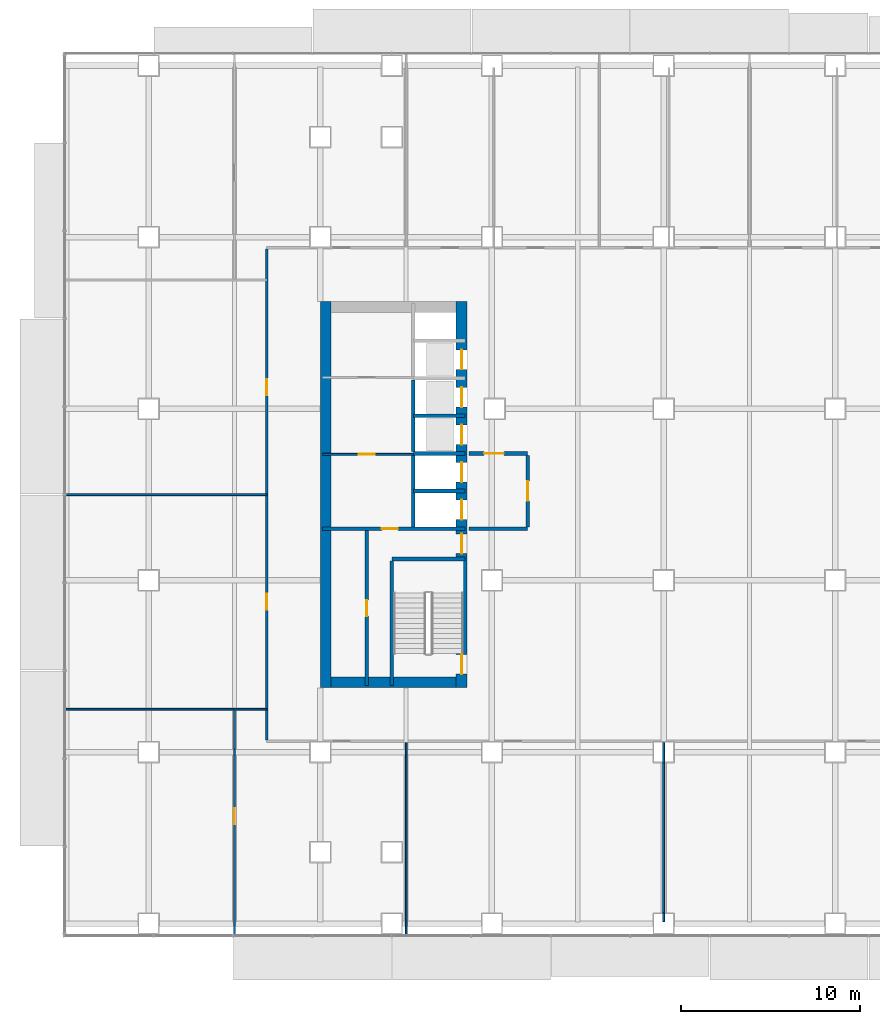
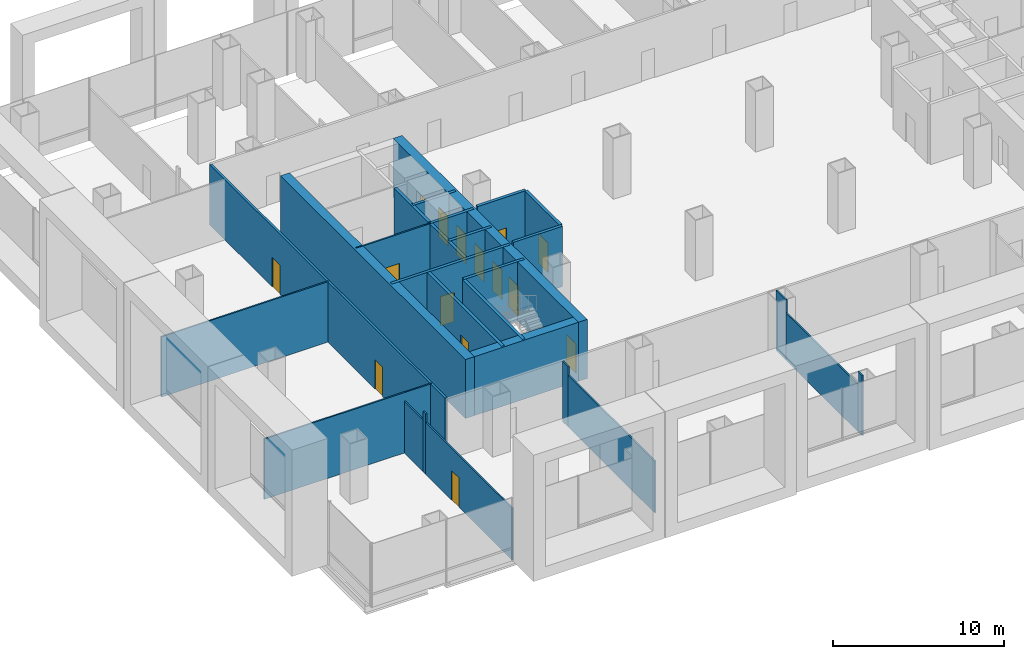
# One storey, part 14 of 23: 27 walls, 15 doors, 15 openings.
"""IFC4 building model written with IfcOpenShell, lengths in metres."""

import ifcopenshell
import ifcopenshell.guid

model = None  # the IFC model being written
_history = None  # IfcOwnerHistory: only IFC2X3 demands one
_inside = {}  # id of a spatial element -> (the spatial element, [elements in it])
_under = {}  # id of a project, library or spatial element -> (it, [spatial elements below it])
_declared = {}  # id of a project -> (the project, [libraries it declares])
_typed = {}  # id of a type object -> (the type object, [elements of that type])
_made_of = {}  # id of a material, layer set ... -> (it, [elements and type objects made of it])


def new_model(schema):
    """Start an empty IFC model of exactly this schema.

    Asked for "IFC4X3", IfcOpenShell would pick the latest addendum, in which some entities
    have other attributes; the version numbers below select the first issue.
    IFC2X3 requires an IfcOwnerHistory on every rooted entity: one is made here for all.
    """
    global model, _history
    if schema == "IFC4X3":
        model = ifcopenshell.file(schema_version=(4, 3, 0, 0))
    else:
        model = ifcopenshell.file(schema=schema)
    _inside.clear()
    _under.clear()
    _declared.clear()
    _typed.clear()
    _made_of.clear()
    _history = None
    if model.schema == "IFC2X3":
        org = make("IfcOrganization", Name="unknown")
        user = make(
            "IfcPersonAndOrganization",
            ThePerson=make("IfcPerson", FamilyName="unknown"),
            TheOrganization=org,
        )
        app = make(
            "IfcApplication",
            ApplicationDeveloper=org,
            Version="unknown",
            ApplicationFullName="unknown",
            ApplicationIdentifier="unknown",
        )
        _history = make(
            "IfcOwnerHistory",
            OwningUser=user,
            OwningApplication=app,
            ChangeAction="ADDED",
            CreationDate=0,
        )
    return model


def make(cls, **values):
    """One entity of the class cls with the attributes given. An attribute that is None is left unset."""
    return model.create_entity(
        cls, **{name: value for name, value in values.items() if value is not None}
    )


def rooted(cls, **values):
    """An entity with a GlobalId (a new one), such as an element, a storey or a relation."""
    return make(cls, GlobalId=ifcopenshell.guid.new(), OwnerHistory=_history, **values)


def si_unit(unit_type, name, prefix=None):
    """IfcSIUnit, for example si_unit("LENGTHUNIT", "METRE", prefix="MILLI")."""
    return make("IfcSIUnit", UnitType=unit_type, Prefix=prefix, Name=name)


def assignment(units):
    """IfcUnitAssignment: the units of a project."""
    return None if units is None else make("IfcUnitAssignment", Units=units)


def point(xyz):
    """IfcCartesianPoint."""
    return None if xyz is None else make("IfcCartesianPoint", Coordinates=xyz)


def direction(xyz):
    """IfcDirection."""
    return None if xyz is None else make("IfcDirection", DirectionRatios=xyz)


def frame(location, z_axis=None, x_axis=None):
    """IfcAxis2Placement3D, a coordinate frame: its origin and axes. An axis left out is left unset."""
    return make(
        "IfcAxis2Placement3D",
        Location=point(location),
        Axis=direction(z_axis),
        RefDirection=direction(x_axis),
    )


def frame_2d(location, x_axis=None):
    """IfcAxis2Placement2D, a coordinate frame in the plane: its origin and x axis."""
    return make(
        "IfcAxis2Placement2D", Location=point(location), RefDirection=direction(x_axis)
    )


def origin():
    """The frame at (0, 0, 0) with its axes left unset."""
    return frame((0.0, 0.0, 0.0))


def place(relative_to, where):
    """IfcLocalPlacement: puts the frame where relative to a parent placement (None: the world)."""
    return make(
        "IfcLocalPlacement", PlacementRelTo=relative_to, RelativePlacement=where
    )


def context(
    kind, dimensions, precision=None, world=None, true_north=None, identifier=None
):
    """IfcGeometricRepresentationContext, for example the 3D "Model" context."""
    return make(
        "IfcGeometricRepresentationContext",
        ContextIdentifier=identifier,
        ContextType=kind,
        CoordinateSpaceDimension=dimensions,
        Precision=precision,
        WorldCoordinateSystem=world,
        TrueNorth=true_north,
    )


def subcontext(parent, identifier, kind, view, scale=None):
    """IfcGeometricRepresentationSubContext, for example "Body" below "Model"."""
    return make(
        "IfcGeometricRepresentationSubContext",
        ContextIdentifier=identifier,
        ContextType=kind,
        ParentContext=parent,
        TargetScale=scale,
        TargetView=view,
    )


def project(units=None, contexts=None):
    """IfcProject with its units and contexts."""
    return rooted(
        "IfcProject",
        Name="project",
        RepresentationContexts=contexts,
        UnitsInContext=assignment(units),
    )


def spatial(cls, under=None, at=None, **own):
    """A site, building, storey or space (cls), placed at a placement, below another one or the project."""
    s = rooted(cls, ObjectPlacement=at, **own)
    if under is not None:
        _under.setdefault(under.id(), (under, []))[1].append(s)
    return s


def profile(cls, at=None, kind="AREA", **sizes):
    """A parametric profile (cls). Its sizes go by their IFC names, for example OverallWidth=200.0."""
    return make(cls, ProfileType=kind, Position=at, **sizes)


def rectangle(**sizes):
    """IfcRectangleProfileDef."""
    return profile("IfcRectangleProfileDef", **sizes)


def extrude(swept, where, along, depth):
    """IfcExtrudedAreaSolid: the profile swept, set in the frame where, extruded along a direction by depth."""
    return make(
        "IfcExtrudedAreaSolid",
        SweptArea=swept,
        Position=where,
        ExtrudedDirection=direction(along),
        Depth=depth,
    )


def shape(context_of_items, identifier, shape_type, items):
    """IfcShapeRepresentation: the items that make up one representation, for example the "Body"."""
    return make(
        "IfcShapeRepresentation",
        ContextOfItems=context_of_items,
        RepresentationIdentifier=identifier,
        RepresentationType=shape_type,
        Items=items,
    )


def material(Name=None, Category=None):
    """IfcMaterial."""
    return make("IfcMaterial", Name=Name, Category=Category)


def layer(
    of_material, thickness, ventilated=None, Name=None, Category=None, Priority=None
):
    """IfcMaterialLayer: one layer of a wall or slab, of a material (None: an air gap)."""
    return make(
        "IfcMaterialLayer",
        Material=of_material,
        LayerThickness=thickness,
        IsVentilated=ventilated,
        Name=Name,
        Category=Category,
        Priority=Priority,
    )


def layer_set(layers, Name=None):
    """IfcMaterialLayerSet."""
    return make("IfcMaterialLayerSet", MaterialLayers=layers, LayerSetName=Name)


def made_of(thing, what):
    """Note that an element or type object is made of a material, layer set ...; save() writes the relation."""
    if what is not None:
        _made_of.setdefault(what.id(), (what, []))[1].append(thing)
    return thing


def type_object(cls, material=None, **own):
    """A type object (cls), such as IfcWallType, which elements share."""
    return made_of(rooted(cls, **own), material)


def element(
    cls,
    number,
    at=None,
    inside=None,
    cuts=None,
    type_object=None,
    material=None,
    context=None,
    identifier="Body",
    shape_type=None,
    held_by="IfcProductDefinitionShape",
    body=None,
    shapes=None,
    **own,
):
    """One element of the class cls, such as IfcWall. Its Tag is "e" and its number.

    at: its placement. inside: the storey or other place that contains it. cuts: it is an
    opening in that element (IfcRelVoidsElement). A single representation is given by context,
    identifier, shape_type and body (its items); several are given by shapes. held_by: the class
    of the entity that holds the representations. save() writes the other relations.
    """
    e = rooted(cls, Tag="e%d" % number, ObjectPlacement=at, **own)
    if body is not None:
        shapes = [shape(context, identifier, shape_type, body)]
    if shapes is not None:
        e.Representation = make(held_by, Representations=shapes)
    if inside is not None:
        _inside.setdefault(inside.id(), (inside, []))[1].append(e)
    if cuts is not None:
        rooted(
            "IfcRelVoidsElement", RelatingBuildingElement=cuts, RelatedOpeningElement=e
        )
    if type_object is not None:
        _typed.setdefault(type_object.id(), (type_object, []))[1].append(e)
    return made_of(e, material)


def fill(opening, filler):
    """IfcRelFillsElement: the door or window that sits in an opening."""
    return rooted(
        "IfcRelFillsElement",
        RelatingOpeningElement=opening,
        RelatedBuildingElement=filler,
    )


def aggregate(whole, parts):
    """IfcRelAggregates: a whole, such as a stair, and the parts it consists of."""
    return rooted("IfcRelAggregates", RelatingObject=whole, RelatedObjects=parts)


def save(model, path):
    """Write the relations noted so far, then the file.

    IfcRelAggregates (storeys below a building ...), IfcRelContainedInSpatialStructure (elements
    in a storey), IfcRelDefinesByType, IfcRelAssociatesMaterial and IfcRelDeclares: one each for
    every whole, place, type object, material and project.
    """
    for whole, parts in _under.values():
        aggregate(whole, parts)
    for where, things in _inside.values():
        rooted(
            "IfcRelContainedInSpatialStructure",
            RelatedElements=things,
            RelatingStructure=where,
        )
    for kind, things in _typed.values():
        rooted("IfcRelDefinesByType", RelatedObjects=things, RelatingType=kind)
    for what, things in _made_of.values():
        rooted("IfcRelAssociatesMaterial", RelatedObjects=things, RelatingMaterial=what)
    for by, libraries in _declared.values():
        rooted("IfcRelDeclares", RelatingContext=by, RelatedDefinitions=libraries)
    model.write(path)


model = new_model("IFC4")

# Units and contexts
model_context = context("Model", 3, precision=1e-05, world=origin(), true_north=direction((0.0, 1.0)))
body_context = subcontext(model_context, "Body", "Model", "MODEL_VIEW")
ifc_project = project(units=[si_unit("LENGTHUNIT", "METRE"), si_unit("AREAUNIT", "SQUARE_METRE"), si_unit("VOLUMEUNIT", "CUBIC_METRE"), si_unit("PLANEANGLEUNIT", "RADIAN"), si_unit("MASSUNIT", "GRAM", prefix="KILO")], contexts=[model_context])

# Site, building, storey
site_placement = place(None, origin())
site = spatial("IfcSite", under=ifc_project, at=site_placement, CompositionType="ELEMENT")
building_placement = place(site_placement, origin())
building = spatial("IfcBuilding", under=site, at=building_placement, Name="Cobrizo Arcos Hotel Tower", CompositionType="ELEMENT")
storey_placement = place(building_placement, frame((0.0, 0.0, 15.5)))
storey = spatial("IfcBuildingStorey", under=building, at=storey_placement, Name="L02", CompositionType="ELEMENT", Elevation=15.5)

# Wall, openings, doors
ifc_material_1 = material(Name="Gypsum board partition")
ifc_layer_1 = layer(ifc_material_1, 0.14990234375)
ifc_layer_set_1 = layer_set([ifc_layer_1], Name="Corridor wall EI 60 150")
wall_type_1 = type_object("IfcWallType", Name="Corridor wall EI 60 150", PredefinedType="PARTITIONING", material=ifc_layer_set_1)
wall_1_placement = place(storey_placement, frame((-27.0, -13.72509765625, 0.0), z_axis=(0.0, 0.0, 1.0), x_axis=(0.0, 1.0, 0.0)))
wall_1 = element("IfcWall", 1, at=wall_1_placement, inside=storey, type_object=wall_type_1, Name="Partition 038", PredefinedType="PARTITIONING", context=body_context, shape_type="SweptSolid", body=[
    extrude(rectangle(XDim=27.4501953125, YDim=0.14990234375, at=frame_2d((13.72509765625, 0.0))), origin(), (0.0, 0.0, 1.0), 4.300048828125),
])
opening_1_placement = place(wall_1_placement, frame((7.27490234375, 0.0, 0.0)))
opening_1 = element("IfcOpeningElement", 2, at=opening_1_placement, cuts=wall_1, Name="Opening RD-17", PredefinedType="OPENING", context=body_context, shape_type="SweptSolid", body=[
    extrude(rectangle(XDim=0.89990234375, YDim=2.10009765625, at=frame_2d((0.449951171875, 1.050048828125))), frame((0.0, 0.0869140625, 0.0), z_axis=(0.0, -1.0, 0.0), x_axis=(1.0, 0.0, 0.0)), (0.0, 0.0, 1.0), 0.173828125),
])
opening_2_placement = place(wall_1_placement, frame((19.27490234375, 0.0, 0.0)))
opening_2 = element("IfcOpeningElement", 3, at=opening_2_placement, cuts=wall_1, Name="Opening RD-18", PredefinedType="OPENING", context=body_context, shape_type="SweptSolid", body=[
    extrude(rectangle(XDim=0.89990234375, YDim=2.10009765625, at=frame_2d((0.449951171875, 1.050048828125))), frame((0.0, 0.0869140625, 0.0), z_axis=(0.0, -1.0, 0.0), x_axis=(1.0, 0.0, 0.0)), (0.0, 0.0, 1.0), 0.173828125),
])
ifc_material_2 = material(Name="Timber door leaf", Category="wood")
door_type_1 = type_object("IfcDoorType", Name="Room door FD30 900x2100", OperationType="SINGLE_SWING_LEFT", PredefinedType="DOOR", material=ifc_material_2)
door_1_placement = place(opening_1_placement, origin())
door_1 = element("IfcDoor", 4, at=door_1_placement, inside=storey, type_object=door_type_1, Name="Door RD-17", OperationType="SINGLE_SWING_RIGHT", OverallHeight=2.10009765625, OverallWidth=0.89990234375, PredefinedType="DOOR", context=body_context, shape_type="SweptSolid", body=[
    extrude(rectangle(XDim=0.89990234375, YDim=2.10009765625, at=frame_2d((0.449951171875, 1.050048828125))), frame((0.0, 0.02490234375, 0.0), z_axis=(0.0, -1.0, 0.0), x_axis=(1.0, 0.0, 0.0)), (0.0, 0.0, 1.0), 0.050048828125),
])
fill(opening_1, door_1)
door_2_placement = place(opening_2_placement, origin())
door_2 = element("IfcDoor", 5, at=door_2_placement, inside=storey, type_object=door_type_1, Name="Door RD-18", OperationType="SINGLE_SWING_RIGHT", OverallHeight=2.10009765625, OverallWidth=0.89990234375, PredefinedType="DOOR", context=body_context, shape_type="SweptSolid", body=[
    extrude(rectangle(XDim=0.89990234375, YDim=2.10009765625, at=frame_2d((0.449951171875, 1.050048828125))), frame((0.0, 0.02490234375, 0.0), z_axis=(0.0, -1.0, 0.0), x_axis=(1.0, 0.0, 0.0)), (0.0, 0.0, 1.0), 0.050048828125),
])
fill(opening_2, door_2)

# Walls
ifc_layer_2 = layer(ifc_material_1, 0.10009765625)
ifc_layer_set_2 = layer_set([ifc_layer_2], Name="Partition EI 30 100")
wall_type_2 = type_object("IfcWallType", Name="Partition EI 30 100", PredefinedType="PARTITIONING", material=ifc_layer_set_2)
for number, where, z_axis, x_axis, name in (
    (6, (-38.280029296875, -12.0, 0.0), (0.0, 0.0, 1.0), (1.0, 0.0, 0.0), "Partition 003"),
    (7, (-38.280029296875, 0.0, 0.0), (0.0, 0.0, 1.0), (1.0, 0.0, 0.0), "Partition 011"),
):
    element("IfcWall", number, at=place(storey_placement, frame(where, z_axis=z_axis, x_axis=x_axis)), inside=storey, type_object=wall_type_2, Name=name, PredefinedType="PARTITIONING", context=body_context, shape_type="SweptSolid", body=[
        extrude(rectangle(XDim=11.280029296875, YDim=0.10009765625, at=frame_2d((5.64013671875, 0.0))), origin(), (0.0, 0.0, 1.0), 4.300048828125),
    ])

# Wall, opening, door
wall_2_placement = place(storey_placement, frame((-23.8798828125, 2.25, 0.0), z_axis=(0.0, 0.0, 1.0), x_axis=(1.0, 0.0, 0.0)))
wall_2 = element("IfcWall", 8, at=wall_2_placement, inside=storey, type_object=wall_type_2, Name="Partition 015", PredefinedType="PARTITIONING", context=body_context, shape_type="SweptSolid", body=[
    extrude(rectangle(XDim=5.079833984375, YDim=0.10009765625, at=frame_2d((2.5400390625, 0.0))), origin(), (0.0, 0.0, 1.0), 4.199951171875),
])
opening_3_placement = place(wall_2_placement, frame((2.030029296875, 0.0, 0.0)))
opening_3 = element("IfcOpeningElement", 9, at=opening_3_placement, cuts=wall_2, Name="Opening RD-03", PredefinedType="OPENING", context=body_context, shape_type="SweptSolid", body=[
    extrude(rectangle(XDim=0.89990234375, YDim=2.10009765625, at=frame_2d((0.449951171875, 1.050048828125))), frame((0.0, 0.06201171875, 0.0), z_axis=(0.0, -1.0, 0.0), x_axis=(1.0, 0.0, 0.0)), (0.0, 0.0, 1.0), 0.1240234375),
])
door_3_placement = place(opening_3_placement, origin())
door_3 = element("IfcDoor", 10, at=door_3_placement, inside=storey, type_object=door_type_1, Name="Door RD-03", OperationType="SINGLE_SWING_RIGHT", OverallHeight=2.10009765625, OverallWidth=0.89990234375, PredefinedType="DOOR", context=body_context, shape_type="SweptSolid", body=[
    extrude(rectangle(XDim=0.89990234375, YDim=2.10009765625, at=frame_2d((0.449951171875, 1.050048828125))), frame((0.0, 0.02490234375, 0.0), z_axis=(0.0, -1.0, 0.0), x_axis=(1.0, 0.0, 0.0)), (0.0, 0.0, 1.0), 0.050048828125),
])
fill(opening_3, door_3)

wall_3_placement = place(storey_placement, frame((-28.800048828125, -24.6298828125, 0.0), z_axis=(0.0, 0.0, 1.0), x_axis=(0.0, 1.0, 0.0)))
wall_3 = element("IfcWall", 11, at=wall_3_placement, inside=storey, type_object=wall_type_2, Name="Partition 032", PredefinedType="PARTITIONING", context=body_context, shape_type="SweptSolid", body=[
    extrude(rectangle(XDim=10.076171875, YDim=0.10009765625, at=frame_2d((5.0380859375, 0.0))), origin(), (0.0, 0.0, 1.0), 3.68310546875),
])
opening_4_placement = place(wall_3_placement, frame((6.179931640625, 0.0, 0.0)))
opening_4 = element("IfcOpeningElement", 12, at=opening_4_placement, cuts=wall_3, Name="Opening RD-29", PredefinedType="OPENING", context=body_context, shape_type="SweptSolid", body=[
    extrude(rectangle(XDim=0.89990234375, YDim=2.10009765625, at=frame_2d((0.449951171875, 1.050048828125))), frame((0.0, 0.06201171875, 0.0), z_axis=(0.0, -1.0, 0.0), x_axis=(1.0, 0.0, 0.0)), (0.0, 0.0, 1.0), 0.1240234375),
])
door_4_placement = place(opening_4_placement, origin())
door_4 = element("IfcDoor", 13, at=door_4_placement, inside=storey, type_object=door_type_1, Name="Door RD-29", OperationType="SINGLE_SWING_RIGHT", OverallHeight=2.10009765625, OverallWidth=0.89990234375, PredefinedType="DOOR", context=body_context, shape_type="SweptSolid", body=[
    extrude(rectangle(XDim=0.89990234375, YDim=2.10009765625, at=frame_2d((0.449951171875, 1.050048828125))), frame((0.0, 0.02490234375, 0.0), z_axis=(0.0, -1.0, 0.0), x_axis=(1.0, 0.0, 0.0)), (0.0, 0.0, 1.0), 0.050048828125),
])
fill(opening_4, door_4)

# Walls
wall_4_placement = place(storey_placement, frame((-28.800048828125, -14.553955078125, 0.0), z_axis=(0.0, 0.0, 1.0), x_axis=(0.0, 1.0, 0.0)))
element("IfcWall", 14, at=wall_4_placement, inside=storey, type_object=wall_type_2, Name="Partition 033", PredefinedType="PARTITIONING", context=body_context, shape_type="SweptSolid", body=[
    extrude(rectangle(XDim=0.307861328125, YDim=0.10009765625, at=frame_2d((0.15380859375, 0.0))), origin(), (0.0, 0.0, 1.0), 4.300048828125),
])
wall_5_placement = place(storey_placement, frame((-28.800048828125, -14.24609375, 0.0), z_axis=(0.0, 0.0, 1.0), x_axis=(0.0, 1.0, 0.0)))
element("IfcWall", 15, at=wall_5_placement, inside=storey, type_object=wall_type_2, Name="Partition 034", PredefinedType="PARTITIONING", context=body_context, shape_type="SweptSolid", body=[
    extrude(rectangle(XDim=2.196044921875, YDim=0.10009765625, at=frame_2d((1.09814453125, 0.0))), origin(), (0.0, 0.0, 1.0), 3.68310546875),
])
wall_6_placement = place(storey_placement, frame((-19.199951171875, -24.6298828125, 0.0), z_axis=(0.0, 0.0, 1.0), x_axis=(0.0, 1.0, 0.0)))
element("IfcWall", 16, at=wall_6_placement, inside=storey, type_object=wall_type_2, Name="Partition 041", PredefinedType="PARTITIONING", context=body_context, shape_type="SweptSolid", body=[
    extrude(rectangle(XDim=10.076171875, YDim=0.10009765625, at=frame_2d((5.0380859375, 0.0))), origin(), (0.0, 0.0, 1.0), 3.68310546875),
])
wall_7_placement = place(storey_placement, frame((-19.199951171875, -14.553955078125, 0.0), z_axis=(0.0, 0.0, 1.0), x_axis=(0.0, 1.0, 0.0)))
element("IfcWall", 17, at=wall_7_placement, inside=storey, type_object=wall_type_2, Name="Partition 042", PredefinedType="PARTITIONING", context=body_context, shape_type="SweptSolid", body=[
    extrude(rectangle(XDim=0.678955078125, YDim=0.10009765625, at=frame_2d((0.33935546875, 0.0))), origin(), (0.0, 0.0, 1.0), 4.300048828125),
])
wall_8_placement = place(storey_placement, frame((-4.800048828125, -23.8798828125, 0.0), z_axis=(0.0, 0.0, 1.0), x_axis=(0.0, 1.0, 0.0)))
element("IfcWall", 18, at=wall_8_placement, inside=storey, type_object=wall_type_2, Name="Partition 053", PredefinedType="PARTITIONING", context=body_context, shape_type="SweptSolid", body=[
    extrude(rectangle(XDim=0.47998046875, YDim=0.10009765625, at=frame_2d((0.239990234375, 0.0))), origin(), (0.0, 0.0, 1.0), 4.300048828125),
])
wall_9_placement = place(storey_placement, frame((-4.800048828125, -23.39990234375, 0.0), z_axis=(0.0, 0.0, 1.0), x_axis=(0.0, 1.0, 0.0)))
element("IfcWall", 19, at=wall_9_placement, inside=storey, type_object=wall_type_2, Name="Partition 054", PredefinedType="PARTITIONING", context=body_context, shape_type="SweptSolid", body=[
    extrude(rectangle(XDim=8.39990234375, YDim=0.10009765625, at=frame_2d((4.199951171875, 0.0))), origin(), (0.0, 0.0, 1.0), 3.373046875),
])
wall_10_placement = place(storey_placement, frame((-4.800048828125, -15.0, 0.0), z_axis=(0.0, 0.0, 1.0), x_axis=(0.0, 1.0, 0.0)))
element("IfcWall", 20, at=wall_10_placement, inside=storey, type_object=wall_type_2, Name="Partition 055", PredefinedType="PARTITIONING", context=body_context, shape_type="SweptSolid", body=[
    extrude(rectangle(XDim=1.125, YDim=0.10009765625, at=frame_2d((0.5625, 0.0))), origin(), (0.0, 0.0, 1.0), 4.300048828125),
])

# Wall, openings, doors
ifc_material_3 = material(Name="Concrete f'c 60 MPa", Category="concrete")
ifc_layer_3 = layer(ifc_material_3, 0.60009765625)
ifc_layer_set_3 = layer_set([ifc_layer_3], Name="RC core wall 600 f'c 60")
wall_type_3 = type_object("IfcWallType", Name="RC core wall 600 f'c 60", PredefinedType="SHEAR", material=ifc_layer_set_3)
wall_11_placement = place(storey_placement, frame((-16.10009765625, -10.800048828125, 0.0), z_axis=(0.0, 0.0, 1.0), x_axis=(0.0, 1.0, 0.0)))
wall_11 = element("IfcWall", 21, at=wall_11_placement, inside=storey, type_object=wall_type_3, Name="Core wall CW1, west core, inner face, L02", PredefinedType="SHEAR", context=body_context, shape_type="SweptSolid", body=[
    extrude(rectangle(XDim=21.60009765625, YDim=0.60009765625, at=frame_2d((10.800048828125, 0.0))), origin(), (0.0, 0.0, 1.0), 4.199951171875),
])
opening_5_placement = place(wall_11_placement, frame((9.39990234375, 0.0, 0.0)))
opening_5 = element("IfcOpeningElement", 22, at=opening_5_placement, cuts=wall_11, Name="Opening LD-01", PredefinedType="OPENING", context=body_context, shape_type="SweptSolid", body=[
    extrude(rectangle(XDim=1.10009765625, YDim=2.10009765625, at=frame_2d((0.550048828125, 1.050048828125))), frame((0.0, 0.31201171875, 0.0), z_axis=(0.0, -1.0, 0.0), x_axis=(1.0, 0.0, 0.0)), (0.0, 0.0, 1.0), 0.6240234375),
])
opening_6_placement = place(wall_11_placement, frame((11.5, 0.0, 0.0)))
opening_6 = element("IfcOpeningElement", 23, at=opening_6_placement, cuts=wall_11, Name="Opening LD-02", PredefinedType="OPENING", context=body_context, shape_type="SweptSolid", body=[
    extrude(rectangle(XDim=1.10009765625, YDim=2.10009765625, at=frame_2d((0.550048828125, 1.050048828125))), frame((0.0, 0.31201171875, 0.0), z_axis=(0.0, -1.0, 0.0), x_axis=(1.0, 0.0, 0.0)), (0.0, 0.0, 1.0), 0.6240234375),
])
opening_7_placement = place(wall_11_placement, frame((13.60009765625, 0.0, 0.0)))
opening_7 = element("IfcOpeningElement", 24, at=opening_7_placement, cuts=wall_11, Name="Opening LD-03", PredefinedType="OPENING", context=body_context, shape_type="SweptSolid", body=[
    extrude(rectangle(XDim=1.10009765625, YDim=2.10009765625, at=frame_2d((0.550048828125, 1.050048828125))), frame((0.0, 0.31201171875, 0.0), z_axis=(0.0, -1.0, 0.0), x_axis=(1.0, 0.0, 0.0)), (0.0, 0.0, 1.0), 0.6240234375),
])
opening_8_placement = place(wall_11_placement, frame((15.699951171875, 0.0, 0.0)))
opening_8 = element("IfcOpeningElement", 25, at=opening_8_placement, cuts=wall_11, Name="Opening LD-04", PredefinedType="OPENING", context=body_context, shape_type="SweptSolid", body=[
    extrude(rectangle(XDim=1.10009765625, YDim=2.10009765625, at=frame_2d((0.550048828125, 1.050048828125))), frame((0.0, 0.31201171875, 0.0), z_axis=(0.0, -1.0, 0.0), x_axis=(1.0, 0.0, 0.0)), (0.0, 0.0, 1.0), 0.6240234375),
])
opening_9_placement = place(wall_11_placement, frame((17.800048828125, 0.0, 0.0)))
opening_9 = element("IfcOpeningElement", 26, at=opening_9_placement, cuts=wall_11, Name="Opening LD-05", PredefinedType="OPENING", context=body_context, shape_type="SweptSolid", body=[
    extrude(rectangle(XDim=1.10009765625, YDim=2.10009765625, at=frame_2d((0.550048828125, 1.050048828125))), frame((0.0, 0.31201171875, 0.0), z_axis=(0.0, -1.0, 0.0), x_axis=(1.0, 0.0, 0.0)), (0.0, 0.0, 1.0), 0.6240234375),
])
opening_10_placement = place(wall_11_placement, frame((0.758056640625, 0.0, 0.0)))
opening_10 = element("IfcOpeningElement", 27, at=opening_10_placement, cuts=wall_11, Name="Opening SD-01", PredefinedType="OPENING", context=body_context, shape_type="SweptSolid", body=[
    extrude(rectangle(XDim=1.10009765625, YDim=2.10009765625, at=frame_2d((0.550048828125, 1.050048828125))), frame((0.0, 0.31201171875, 0.0), z_axis=(0.0, -1.0, 0.0), x_axis=(1.0, 0.0, 0.0)), (0.0, 0.0, 1.0), 0.6240234375),
])
opening_11_placement = place(wall_11_placement, frame((7.5, 0.0, 0.0)))
opening_11 = element("IfcOpeningElement", 28, at=opening_11_placement, cuts=wall_11, Name="Opening FD-01", PredefinedType="OPENING", context=body_context, shape_type="SweptSolid", body=[
    extrude(rectangle(XDim=1.10009765625, YDim=2.10009765625, at=frame_2d((0.550048828125, 1.050048828125))), frame((0.0, 0.31201171875, 0.0), z_axis=(0.0, -1.0, 0.0), x_axis=(1.0, 0.0, 0.0)), (0.0, 0.0, 1.0), 0.6240234375),
])
ifc_material_4 = material(Name="Steel door leaf", Category="steel")
door_type_2 = type_object("IfcDoorType", Name="Fire door FD60 1100x2100", OperationType="SINGLE_SWING_LEFT", PredefinedType="DOOR", material=ifc_material_4)
door_5_placement = place(opening_11_placement, origin())
door_5 = element("IfcDoor", 29, at=door_5_placement, inside=storey, type_object=door_type_2, Name="Door FD-01", OperationType="SINGLE_SWING_LEFT", OverallHeight=2.10009765625, OverallWidth=1.10009765625, PredefinedType="DOOR", context=body_context, shape_type="SweptSolid", body=[
    extrude(rectangle(XDim=1.10009765625, YDim=2.10009765625, at=frame_2d((0.550048828125, 1.050048828125))), frame((0.0, 0.02490234375, 0.0), z_axis=(0.0, -1.0, 0.0), x_axis=(1.0, 0.0, 0.0)), (0.0, 0.0, 1.0), 0.050048828125),
])
fill(opening_11, door_5)
door_type_3 = type_object("IfcDoorType", Name="Lift landing door 1100x2100", OperationType="SLIDING_TO_LEFT", PredefinedType="DOOR", material=ifc_material_4)
door_6_placement = place(opening_5_placement, origin())
door_6 = element("IfcDoor", 30, at=door_6_placement, inside=storey, type_object=door_type_3, Name="Lift landing door LD-01", OperationType="SLIDING_TO_LEFT", OverallHeight=2.10009765625, OverallWidth=1.10009765625, PredefinedType="DOOR", context=body_context, shape_type="SweptSolid", body=[
    extrude(rectangle(XDim=1.10009765625, YDim=2.10009765625, at=frame_2d((0.550048828125, 1.050048828125))), frame((0.0, 0.02490234375, 0.0), z_axis=(0.0, -1.0, 0.0), x_axis=(1.0, 0.0, 0.0)), (0.0, 0.0, 1.0), 0.050048828125),
])
fill(opening_5, door_6)
door_7_placement = place(opening_6_placement, origin())
door_7 = element("IfcDoor", 31, at=door_7_placement, inside=storey, type_object=door_type_3, Name="Lift landing door LD-02", OperationType="SLIDING_TO_LEFT", OverallHeight=2.10009765625, OverallWidth=1.10009765625, PredefinedType="DOOR", context=body_context, shape_type="SweptSolid", body=[
    extrude(rectangle(XDim=1.10009765625, YDim=2.10009765625, at=frame_2d((0.550048828125, 1.050048828125))), frame((0.0, 0.02490234375, 0.0), z_axis=(0.0, -1.0, 0.0), x_axis=(1.0, 0.0, 0.0)), (0.0, 0.0, 1.0), 0.050048828125),
])
fill(opening_6, door_7)
door_8_placement = place(opening_7_placement, origin())
door_8 = element("IfcDoor", 32, at=door_8_placement, inside=storey, type_object=door_type_3, Name="Lift landing door LD-03", OperationType="SLIDING_TO_LEFT", OverallHeight=2.10009765625, OverallWidth=1.10009765625, PredefinedType="DOOR", context=body_context, shape_type="SweptSolid", body=[
    extrude(rectangle(XDim=1.10009765625, YDim=2.10009765625, at=frame_2d((0.550048828125, 1.050048828125))), frame((0.0, 0.02490234375, 0.0), z_axis=(0.0, -1.0, 0.0), x_axis=(1.0, 0.0, 0.0)), (0.0, 0.0, 1.0), 0.050048828125),
])
fill(opening_7, door_8)
door_9_placement = place(opening_8_placement, origin())
door_9 = element("IfcDoor", 33, at=door_9_placement, inside=storey, type_object=door_type_3, Name="Lift landing door LD-04", OperationType="SLIDING_TO_LEFT", OverallHeight=2.10009765625, OverallWidth=1.10009765625, PredefinedType="DOOR", context=body_context, shape_type="SweptSolid", body=[
    extrude(rectangle(XDim=1.10009765625, YDim=2.10009765625, at=frame_2d((0.550048828125, 1.050048828125))), frame((0.0, 0.02490234375, 0.0), z_axis=(0.0, -1.0, 0.0), x_axis=(1.0, 0.0, 0.0)), (0.0, 0.0, 1.0), 0.050048828125),
])
fill(opening_8, door_9)
door_10_placement = place(opening_9_placement, origin())
door_10 = element("IfcDoor", 34, at=door_10_placement, inside=storey, type_object=door_type_3, Name="Lift landing door LD-05", OperationType="SLIDING_TO_LEFT", OverallHeight=2.10009765625, OverallWidth=1.10009765625, PredefinedType="DOOR", context=body_context, shape_type="SweptSolid", body=[
    extrude(rectangle(XDim=1.10009765625, YDim=2.10009765625, at=frame_2d((0.550048828125, 1.050048828125))), frame((0.0, 0.02490234375, 0.0), z_axis=(0.0, -1.0, 0.0), x_axis=(1.0, 0.0, 0.0)), (0.0, 0.0, 1.0), 0.050048828125),
])
fill(opening_9, door_10)
door_type_4 = type_object("IfcDoorType", Name="Stair door FD60S 1100x2100", OperationType="SINGLE_SWING_LEFT", PredefinedType="DOOR", material=ifc_material_4)
door_11_placement = place(opening_10_placement, origin())
door_11 = element("IfcDoor", 35, at=door_11_placement, inside=storey, type_object=door_type_4, Name="Door SD-01", OperationType="SINGLE_SWING_RIGHT", OverallHeight=2.10009765625, OverallWidth=1.10009765625, PredefinedType="DOOR", context=body_context, shape_type="SweptSolid", body=[
    extrude(rectangle(XDim=1.10009765625, YDim=2.10009765625, at=frame_2d((0.550048828125, 1.050048828125))), frame((0.0, 0.02490234375, 0.0), z_axis=(0.0, -1.0, 0.0), x_axis=(1.0, 0.0, 0.0)), (0.0, 0.0, 1.0), 0.050048828125),
])
fill(opening_10, door_11)

# Walls
wall_12_placement = place(storey_placement, frame((-23.699951171875, -10.800048828125, 0.0), z_axis=(0.0, 0.0, 1.0), x_axis=(0.0, 1.0, 0.0)))
element("IfcWall", 36, at=wall_12_placement, inside=storey, type_object=wall_type_3, Name="Core wall CW1, west core, outer face, L02", PredefinedType="SHEAR", context=body_context, shape_type="SweptSolid", body=[
    extrude(rectangle(XDim=21.60009765625, YDim=0.60009765625, at=frame_2d((10.800048828125, 0.0))), origin(), (0.0, 0.0, 1.0), 4.199951171875),
])
wall_13_placement = place(storey_placement, frame((-23.39990234375, -10.5, 0.0), z_axis=(0.0, 0.0, 1.0), x_axis=(1.0, 0.0, 0.0)))
element("IfcWall", 37, at=wall_13_placement, inside=storey, type_object=wall_type_3, Name="Core wall CW1, west core, south end, L02", PredefinedType="SHEAR", context=body_context, shape_type="SweptSolid", body=[
    extrude(rectangle(XDim=7.0, YDim=0.60009765625, at=frame_2d((3.5, 0.0))), origin(), (0.0, 0.0, 1.0), 4.199951171875),
])

# Wall, opening, door
ifc_layer_4 = layer(ifc_material_1, 0.199951171875)
ifc_layer_set_4 = layer_set([ifc_layer_4], Name="Shaft wall EI 120 200")
wall_type_4 = type_object("IfcWallType", Name="Shaft wall EI 120 200", PredefinedType="PARTITIONING", material=ifc_layer_set_4)
wall_14_placement = place(storey_placement, frame((-23.8798828125, -1.89990234375, 0.0), z_axis=(0.0, 0.0, 1.0), x_axis=(1.0, 0.0, 0.0)))
wall_14 = element("IfcWall", 38, at=wall_14_placement, inside=storey, type_object=wall_type_4, Name="Partition 007", PredefinedType="PARTITIONING", context=body_context, shape_type="SweptSolid", body=[
    extrude(rectangle(XDim=7.9599609375, YDim=0.199951171875, at=frame_2d((3.97998046875, 0.0))), origin(), (0.0, 0.0, 1.0), 4.199951171875),
])
opening_12_placement = place(wall_14_placement, frame((3.320068359375, 0.0, 0.0)))
opening_12 = element("IfcOpeningElement", 39, at=opening_12_placement, cuts=wall_14, Name="Opening RD-02", PredefinedType="OPENING", context=body_context, shape_type="SweptSolid", body=[
    extrude(rectangle(XDim=0.89990234375, YDim=2.10009765625, at=frame_2d((0.449951171875, 1.050048828125))), frame((0.0, 0.112060546875, 0.0), z_axis=(0.0, -1.0, 0.0), x_axis=(1.0, 0.0, 0.0)), (0.0, 0.0, 1.0), 0.223876953125),
])
door_12_placement = place(opening_12_placement, origin())
door_12 = element("IfcDoor", 40, at=door_12_placement, inside=storey, type_object=door_type_1, Name="Door RD-02", OperationType="SINGLE_SWING_RIGHT", OverallHeight=2.10009765625, OverallWidth=0.89990234375, PredefinedType="DOOR", context=body_context, shape_type="SweptSolid", body=[
    extrude(rectangle(XDim=0.89990234375, YDim=2.10009765625, at=frame_2d((0.449951171875, 1.050048828125))), frame((0.0, 0.02490234375, 0.0), z_axis=(0.0, -1.0, 0.0), x_axis=(1.0, 0.0, 0.0)), (0.0, 0.0, 1.0), 0.050048828125),
])
fill(opening_12, door_12)

# Walls
wall_15_placement = place(storey_placement, frame((-15.679931640625, -1.89990234375, 0.0), z_axis=(0.0, 0.0, 1.0), x_axis=(1.0, 0.0, 0.0)))
element("IfcWall", 41, at=wall_15_placement, inside=storey, type_object=wall_type_4, Name="Partition 008", PredefinedType="PARTITIONING", context=body_context, shape_type="SweptSolid", body=[
    extrude(rectangle(XDim=3.280029296875, YDim=0.199951171875, at=frame_2d((1.64013671875, 0.0))), origin(), (0.0, 0.0, 1.0), 4.300048828125),
])
for number, where, z_axis, x_axis, name in (
    (42, (-18.800048828125, 0.199951171875, 0.0), (0.0, 0.0, 1.0), (1.0, 0.0, 0.0), "Partition 013"),
    (43, (-18.800048828125, 2.300048828125, 0.0), (0.0, 0.0, 1.0), (1.0, 0.0, 0.0), "Partition 017"),
):
    element("IfcWall", number, at=place(storey_placement, frame(where, z_axis=z_axis, x_axis=x_axis)), inside=storey, type_object=wall_type_4, Name=name, PredefinedType="PARTITIONING", context=body_context, shape_type="SweptSolid", body=[
        extrude(rectangle(XDim=2.880126953125, YDim=0.199951171875, at=frame_2d((1.43994140625, 0.0))), origin(), (0.0, 0.0, 1.0), 4.199951171875),
    ])

# Wall, opening, door
wall_16_placement = place(storey_placement, frame((-15.679931640625, 2.300048828125, 0.0), z_axis=(0.0, 0.0, 1.0), x_axis=(1.0, 0.0, 0.0)))
wall_16 = element("IfcWall", 44, at=wall_16_placement, inside=storey, type_object=wall_type_4, Name="Partition 018", PredefinedType="PARTITIONING", context=body_context, shape_type="SweptSolid", body=[
    extrude(rectangle(XDim=3.280029296875, YDim=0.199951171875, at=frame_2d((1.64013671875, 0.0))), origin(), (0.0, 0.0, 1.0), 4.300048828125),
])
opening_13_placement = place(wall_16_placement, frame((0.840087890625, 0.0, 0.0)))
opening_13 = element("IfcOpeningElement", 45, at=opening_13_placement, cuts=wall_16, Name="Opening FD-03", PredefinedType="OPENING", context=body_context, shape_type="SweptSolid", body=[
    extrude(rectangle(XDim=1.10009765625, YDim=2.10009765625, at=frame_2d((0.550048828125, 1.050048828125))), frame((0.0, 0.112060546875, 0.0), z_axis=(0.0, -1.0, 0.0), x_axis=(1.0, 0.0, 0.0)), (0.0, 0.0, 1.0), 0.223876953125),
])
door_13_placement = place(opening_13_placement, origin())
door_13 = element("IfcDoor", 46, at=door_13_placement, inside=storey, type_object=door_type_2, Name="Door FD-03", OperationType="SINGLE_SWING_LEFT", OverallHeight=2.10009765625, OverallWidth=1.10009765625, PredefinedType="DOOR", context=body_context, shape_type="SweptSolid", body=[
    extrude(rectangle(XDim=1.10009765625, YDim=2.10009765625, at=frame_2d((0.550048828125, 1.050048828125))), frame((0.0, 0.02490234375, 0.0), z_axis=(0.0, -1.0, 0.0), x_axis=(1.0, 0.0, 0.0)), (0.0, 0.0, 1.0), 0.050048828125),
])
fill(opening_13, door_13)

# Wall
wall_17_placement = place(storey_placement, frame((-18.800048828125, 4.39990234375, 0.0), z_axis=(0.0, 0.0, 1.0), x_axis=(1.0, 0.0, 0.0)))
element("IfcWall", 47, at=wall_17_placement, inside=storey, type_object=wall_type_4, Name="Partition 021", PredefinedType="PARTITIONING", context=body_context, shape_type="SweptSolid", body=[
    extrude(rectangle(XDim=2.880126953125, YDim=0.199951171875, at=frame_2d((1.43994140625, 0.0))), origin(), (0.0, 0.0, 1.0), 4.199951171875),
])

# Wall, opening, door
wall_18_placement = place(storey_placement, frame((-21.39990234375, -10.679931640625, 0.0), z_axis=(0.0, 0.0, 1.0), x_axis=(0.0, 1.0, 0.0)))
wall_18 = element("IfcWall", 48, at=wall_18_placement, inside=storey, type_object=wall_type_4, Name="Partition 039", PredefinedType="PARTITIONING", context=body_context, shape_type="SweptSolid", body=[
    extrude(rectangle(XDim=8.679931640625, YDim=0.199951171875, at=frame_2d((4.33984375, 0.0))), origin(), (0.0, 0.0, 1.0), 4.199951171875),
])
opening_14_placement = place(wall_18_placement, frame((3.8798828125, 0.0, 0.0)))
opening_14 = element("IfcOpeningElement", 49, at=opening_14_placement, cuts=wall_18, Name="Opening RD-01", PredefinedType="OPENING", context=body_context, shape_type="SweptSolid", body=[
    extrude(rectangle(XDim=0.89990234375, YDim=2.10009765625, at=frame_2d((0.449951171875, 1.050048828125))), frame((0.0, 0.112060546875, 0.0), z_axis=(0.0, -1.0, 0.0), x_axis=(1.0, 0.0, 0.0)), (0.0, 0.0, 1.0), 0.223876953125),
])
door_14_placement = place(opening_14_placement, origin())
door_14 = element("IfcDoor", 50, at=door_14_placement, inside=storey, type_object=door_type_1, Name="Door RD-01", OperationType="SINGLE_SWING_LEFT", OverallHeight=2.10009765625, OverallWidth=0.89990234375, PredefinedType="DOOR", context=body_context, shape_type="SweptSolid", body=[
    extrude(rectangle(XDim=0.89990234375, YDim=2.10009765625, at=frame_2d((0.449951171875, 1.050048828125))), frame((0.0, 0.02490234375, 0.0), z_axis=(0.0, -1.0, 0.0), x_axis=(1.0, 0.0, 0.0)), (0.0, 0.0, 1.0), 0.050048828125),
])
fill(opening_14, door_14)

# Walls
for number, where, z_axis, x_axis, name in (
    (51, (-18.800048828125, -1.800048828125, 0.0), (0.0, 0.0, 1.0), (0.0, 1.0, 0.0), "Partition 045"),
    (52, (-18.800048828125, 2.39990234375, 0.0), (0.0, 0.0, 1.0), (0.0, 1.0, 0.0), "Partition 046"),
):
    element("IfcWall", number, at=place(storey_placement, frame(where, z_axis=z_axis, x_axis=x_axis)), inside=storey, type_object=wall_type_4, Name=name, PredefinedType="PARTITIONING", context=body_context, shape_type="SweptSolid", body=[
        extrude(rectangle(XDim=4.0, YDim=0.199951171875, at=frame_2d((2.0, 0.0))), origin(), (0.0, 0.0, 1.0), 4.199951171875),
    ])

# Wall, opening, door
wall_19_placement = place(storey_placement, frame((-12.39990234375, -1.800048828125, 0.0), z_axis=(0.0, 0.0, 1.0), x_axis=(0.0, 1.0, 0.0)))
wall_19 = element("IfcWall", 53, at=wall_19_placement, inside=storey, type_object=wall_type_4, Name="Partition 051", PredefinedType="PARTITIONING", context=body_context, shape_type="SweptSolid", body=[
    extrude(rectangle(XDim=4.0, YDim=0.199951171875, at=frame_2d((2.0, 0.0))), origin(), (0.0, 0.0, 1.0), 4.300048828125),
])
opening_15_placement = place(wall_19_placement, frame((1.449951171875, 0.0, 0.0)))
opening_15 = element("IfcOpeningElement", 54, at=opening_15_placement, cuts=wall_19, Name="Opening FD-02", PredefinedType="OPENING", context=body_context, shape_type="SweptSolid", body=[
    extrude(rectangle(XDim=1.10009765625, YDim=2.10009765625, at=frame_2d((0.550048828125, 1.050048828125))), frame((0.0, 0.112060546875, 0.0), z_axis=(0.0, -1.0, 0.0), x_axis=(1.0, 0.0, 0.0)), (0.0, 0.0, 1.0), 0.223876953125),
])
door_15_placement = place(opening_15_placement, origin())
door_15 = element("IfcDoor", 55, at=door_15_placement, inside=storey, type_object=door_type_2, Name="Door FD-02", OperationType="SINGLE_SWING_LEFT", OverallHeight=2.10009765625, OverallWidth=1.10009765625, PredefinedType="DOOR", context=body_context, shape_type="SweptSolid", body=[
    extrude(rectangle(XDim=1.10009765625, YDim=2.10009765625, at=frame_2d((0.550048828125, 1.050048828125))), frame((0.0, 0.02490234375, 0.0), z_axis=(0.0, -1.0, 0.0), x_axis=(1.0, 0.0, 0.0)), (0.0, 0.0, 1.0), 0.050048828125),
])
fill(opening_15, door_15)

# Walls
ifc_material_5 = material(Name="Concrete f'c 40 MPa", Category="concrete")
ifc_layer_5 = layer(ifc_material_5, 0.199951171875)
ifc_layer_set_5 = layer_set([ifc_layer_5], Name="Stair shaft wall 200")
wall_type_5 = type_object("IfcWallType", Name="Stair shaft wall 200", PredefinedType="SHEAR", material=ifc_layer_set_5)
wall_20_placement = place(storey_placement, frame((-20.0, -3.60009765625, 0.0), z_axis=(0.0, 0.0, 1.0), x_axis=(1.0, 0.0, 0.0)))
element("IfcWall", 56, at=wall_20_placement, inside=storey, type_object=wall_type_5, Name="Stair shaft wall W", PredefinedType="SHEAR", context=body_context, shape_type="SweptSolid", body=[
    extrude(rectangle(XDim=4.080078125, YDim=0.199951171875, at=frame_2d((2.0400390625, 0.0))), origin(), (0.0, 0.0, 1.0), 4.199951171875),
])
wall_21_placement = place(storey_placement, frame((-20.0, -10.679931640625, 0.0), z_axis=(0.0, 0.0, 1.0), x_axis=(0.0, 1.0, 0.0)))
element("IfcWall", 57, at=wall_21_placement, inside=storey, type_object=wall_type_5, Name="Stair shaft wall W", PredefinedType="SHEAR", context=body_context, shape_type="SweptSolid", body=[
    extrude(rectangle(XDim=6.97998046875, YDim=0.199951171875, at=frame_2d((3.489990234375, 0.0))), origin(), (0.0, 0.0, 1.0), 4.199951171875),
])

save(model, "model.ifc")
